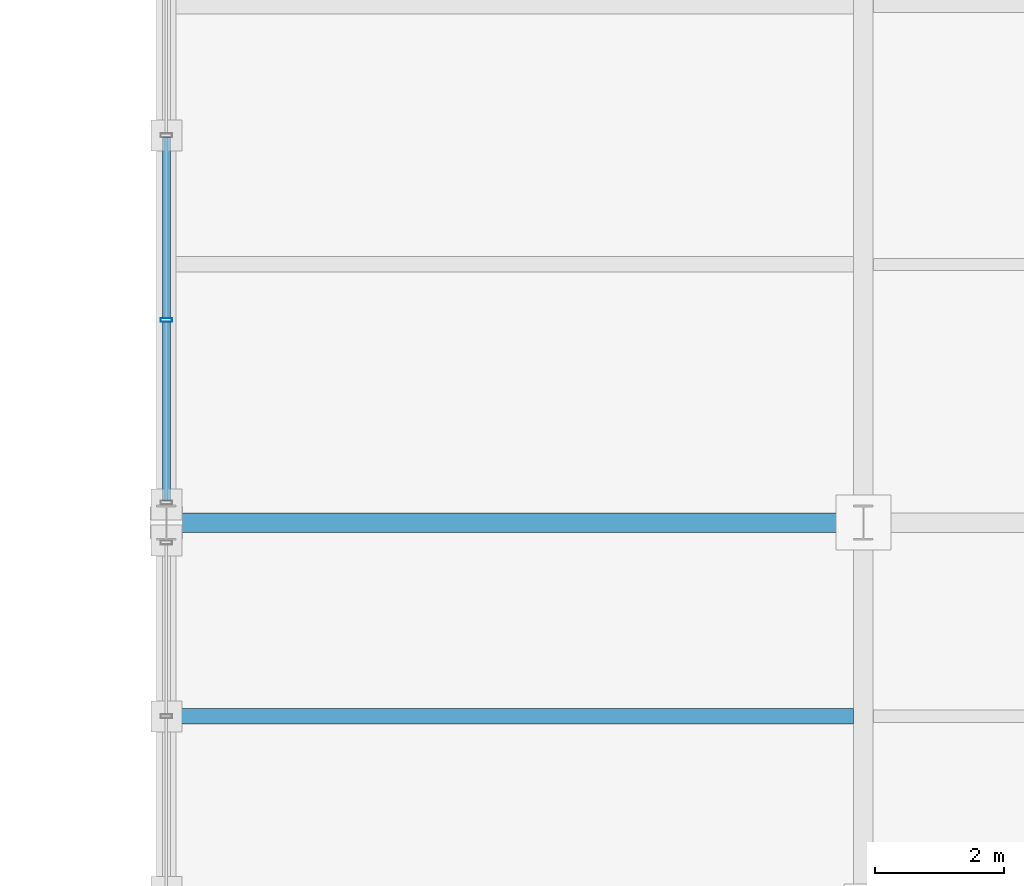
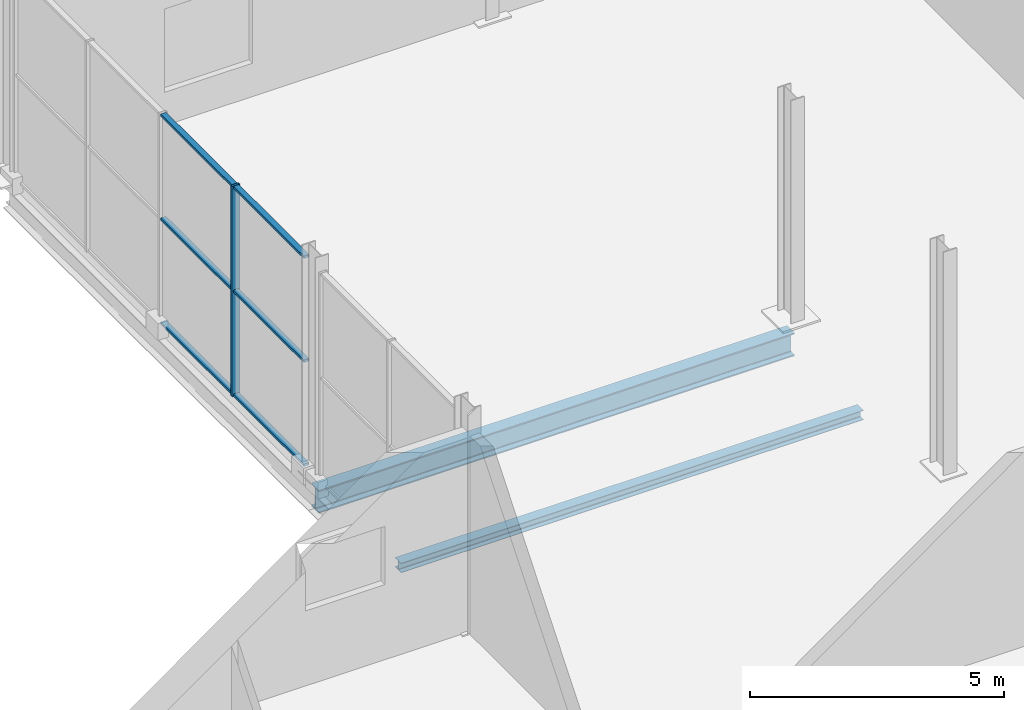
# One storey, part 138 of 196: 7 members, 2 beams, 1 element without a shape of its own.
"""IFC4 building model written with IfcOpenShell, lengths in metres."""

from ifc_helpers import new_model, si_unit, direction, frame, origin, origin_2d, place, context, subcontext, project, spatial, hollow_rectangle, i_section, extrude, material, material_profile, profile_set, type_object, element, aggregate, save


model = new_model("IFC4")

# Units and contexts
model_context = context("Model", 3, precision=1e-05, world=origin(), true_north=direction((0.0, 1.0)))
body_context = subcontext(model_context, "Body", "Model", "MODEL_VIEW")
ifc_project = project(units=[si_unit("LENGTHUNIT", "METRE"), si_unit("AREAUNIT", "SQUARE_METRE"), si_unit("VOLUMEUNIT", "CUBIC_METRE"), si_unit("PLANEANGLEUNIT", "RADIAN"), si_unit("MASSUNIT", "GRAM", prefix="KILO")], contexts=[model_context])

# Site, building, storey
site_placement = place(None, origin())
site = spatial("IfcSite", under=ifc_project, at=site_placement, CompositionType="ELEMENT")
building_placement = place(site_placement, origin())
building = spatial("IfcBuilding", under=site, at=building_placement, Name="Merenkruunu Market Hall", CompositionType="ELEMENT")
storey_placement = place(building_placement, origin())
storey = spatial("IfcBuildingStorey", under=building, at=storey_placement, Name="L00", CompositionType="ELEMENT", Elevation=0.0)

# Curtain wall, members
ifc_material_1 = material(Name="Powder-coated aluminium", Category="aluminium")
curtain_wall_type = type_object("IfcCurtainWallType", Name="Glazed Curtain Wall CW14", PredefinedType="USERDEFINED", material=ifc_material_1)
curtain_wall_placement = place(storey_placement, origin())
curtain_wall = element("IfcCurtainWall", 1, at=curtain_wall_placement, inside=storey, type_object=curtain_wall_type, Name="CW-L00-CWM02-206", ObjectType="GLAZED_FACADE", PredefinedType="USERDEFINED")
ifc_material_profile_1 = material_profile(ifc_material_1, hollow_rectangle(XDim=0.06005859375, YDim=0.179931640625, WallThickness=0.00390625, at=origin_2d()), Name="ALU 60x180x4")
ifc_profile_set_1 = profile_set([ifc_material_profile_1], Name="Powder-coated aluminium")
member_type_1 = type_object("IfcMemberType", Name="Curtain Wall Mullion CWM02", PredefinedType="MULLION", material=ifc_profile_set_1)
member_1_placement = place(storey_placement, frame((148.800048828125, 54.739990234375, 0.0), z_axis=(0.0, 0.0, 1.0), x_axis=(0.0, 1.0, 0.0)))
member_1 = element("IfcMember", 2, at=member_1_placement, type_object=member_type_1, Name="CW14 mullion 2", PredefinedType="MULLION", context=body_context, shape_type="SweptSolid", body=[
    extrude(hollow_rectangle(XDim=0.06005859375, YDim=0.179931640625, WallThickness=0.00390625, at=origin_2d()), origin(), (0.0, 0.0, 1.0), 5.050048828125),
])
ifc_material_profile_2 = material_profile(ifc_material_1, hollow_rectangle(XDim=0.06005859375, YDim=0.125, WallThickness=0.00390625, at=origin_2d()), Name="ALU 60x125x4")
ifc_profile_set_2 = profile_set([ifc_material_profile_2], Name="Powder-coated aluminium")
member_type_2 = type_object("IfcMemberType", Name="Curtain Wall Transom CWT01", PredefinedType="USERDEFINED", material=ifc_profile_set_2)
member_2_placement = place(storey_placement, frame((148.800048828125, 51.93994140625, 0.030029296875), z_axis=(0.0, 1.0, 0.0), x_axis=(0.0, 0.0, 1.0)))
member_2 = element("IfcMember", 3, at=member_2_placement, type_object=member_type_2, Name="CW14 transom 1.1", ObjectType="TRANSOM", PredefinedType="USERDEFINED", context=body_context, shape_type="SweptSolid", body=[
    extrude(hollow_rectangle(XDim=0.06005859375, YDim=0.125, WallThickness=0.00390625, at=origin_2d()), origin(), (0.0, 0.0, 1.0), 2.77001953125),
])
member_3_placement = place(storey_placement, frame((148.800048828125, 51.93994140625, 2.52490234375), z_axis=(0.0, 1.0, 0.0), x_axis=(0.0, 0.0, 1.0)))
member_3 = element("IfcMember", 4, at=member_3_placement, type_object=member_type_2, Name="CW14 transom 1.2", ObjectType="TRANSOM", PredefinedType="USERDEFINED", context=body_context, shape_type="SweptSolid", body=[
    extrude(hollow_rectangle(XDim=0.06005859375, YDim=0.125, WallThickness=0.00390625, at=origin_2d()), origin(), (0.0, 0.0, 1.0), 2.77001953125),
])
member_4_placement = place(storey_placement, frame((148.800048828125, 51.93994140625, 5.02001953125), z_axis=(0.0, 1.0, 0.0), x_axis=(0.0, 0.0, 1.0)))
member_4 = element("IfcMember", 5, at=member_4_placement, type_object=member_type_2, Name="CW14 transom 1.3", ObjectType="TRANSOM", PredefinedType="USERDEFINED", context=body_context, shape_type="SweptSolid", body=[
    extrude(hollow_rectangle(XDim=0.06005859375, YDim=0.125, WallThickness=0.00390625, at=origin_2d()), origin(), (0.0, 0.0, 1.0), 2.77001953125),
])
member_5_placement = place(storey_placement, frame((148.800048828125, 54.77001953125, 0.030029296875), z_axis=(0.0, 1.0, 0.0), x_axis=(0.0, 0.0, 1.0)))
member_5 = element("IfcMember", 6, at=member_5_placement, type_object=member_type_2, Name="CW14 transom 2.1", ObjectType="TRANSOM", PredefinedType="USERDEFINED", context=body_context, shape_type="SweptSolid", body=[
    extrude(hollow_rectangle(XDim=0.06005859375, YDim=0.125, WallThickness=0.00390625, at=origin_2d()), origin(), (0.0, 0.0, 1.0), 2.800048828125),
])
member_6_placement = place(storey_placement, frame((148.800048828125, 54.77001953125, 2.52490234375), z_axis=(0.0, 1.0, 0.0), x_axis=(0.0, 0.0, 1.0)))
member_6 = element("IfcMember", 7, at=member_6_placement, type_object=member_type_2, Name="CW14 transom 2.2", ObjectType="TRANSOM", PredefinedType="USERDEFINED", context=body_context, shape_type="SweptSolid", body=[
    extrude(hollow_rectangle(XDim=0.06005859375, YDim=0.125, WallThickness=0.00390625, at=origin_2d()), origin(), (0.0, 0.0, 1.0), 2.800048828125),
])
member_7_placement = place(storey_placement, frame((148.800048828125, 54.77001953125, 5.02001953125), z_axis=(0.0, 1.0, 0.0), x_axis=(0.0, 0.0, 1.0)))
member_7 = element("IfcMember", 8, at=member_7_placement, type_object=member_type_2, Name="CW14 transom 2.3", ObjectType="TRANSOM", PredefinedType="USERDEFINED", context=body_context, shape_type="SweptSolid", body=[
    extrude(hollow_rectangle(XDim=0.06005859375, YDim=0.125, WallThickness=0.00390625, at=origin_2d()), origin(), (0.0, 0.0, 1.0), 2.800048828125),
])
aggregate(curtain_wall, [member_1, member_2, member_3, member_4, member_5, member_6, member_7])

# Beams
ifc_material_2 = material(Name="Steel S355J2", Category="steel")
ifc_material_profile_3 = material_profile(ifc_material_2, i_section(OverallWidth=0.300048828125, OverallDepth=0.550048828125, WebThickness=0.014892578125, FlangeThickness=0.029052734375, FilletRadius=0.027099609375, at=origin_2d()), Name="HEB 550")
ifc_profile_set_3 = profile_set([ifc_material_profile_3], Name="Steel S355J2")
beam_type_1 = type_object("IfcBeamType", Name="Primary Floor Girder B02", PredefinedType="BEAM", material=ifc_profile_set_3)
beam_1_placement = place(storey_placement, frame((148.800048828125, 51.60009765625, -0.574951171875), z_axis=(1.0, 0.0, 0.0), x_axis=(0.0, 1.0, 0.0)))
element("IfcBeam", 9, at=beam_1_placement, inside=storey, type_object=beam_type_1, Name="BM-L00-B02-0083", PredefinedType="BEAM", context=body_context, shape_type="SweptSolid", body=[
    extrude(i_section(OverallWidth=0.300048828125, OverallDepth=0.550048828125, WebThickness=0.014892578125, FlangeThickness=0.029052734375, FilletRadius=0.027099609375, at=origin_2d()), origin(), (0.0, 0.0, 1.0), 10.800048828125),
])
ifc_material_profile_4 = material_profile(ifc_material_2, i_section(OverallWidth=0.239990234375, OverallDepth=0.22998046875, WebThickness=0.007568359375, FlangeThickness=0.011962890625, FilletRadius=0.02099609375, at=origin_2d()), Name="HEA 240")
ifc_profile_set_4 = profile_set([ifc_material_profile_4], Name="Steel S355J2")
beam_type_2 = type_object("IfcBeamType", Name="Secondary Floor Joist J06", PredefinedType="JOIST", material=ifc_profile_set_4)
beam_2_placement = place(storey_placement, frame((148.952880859375, 48.60009765625, -0.4150390625), z_axis=(1.0, 0.0, 0.0), x_axis=(0.0, 1.0, 0.0)))
element("IfcBeam", 10, at=beam_2_placement, inside=storey, type_object=beam_type_2, Name="BM-L00-J06-0430", PredefinedType="JOIST", context=body_context, shape_type="SweptSolid", body=[
    extrude(i_section(OverallWidth=0.239990234375, OverallDepth=0.22998046875, WebThickness=0.007568359375, FlangeThickness=0.011962890625, FilletRadius=0.02099609375, at=origin_2d()), origin(), (0.0, 0.0, 1.0), 10.494140625),
])

save(model, "model.ifc")
